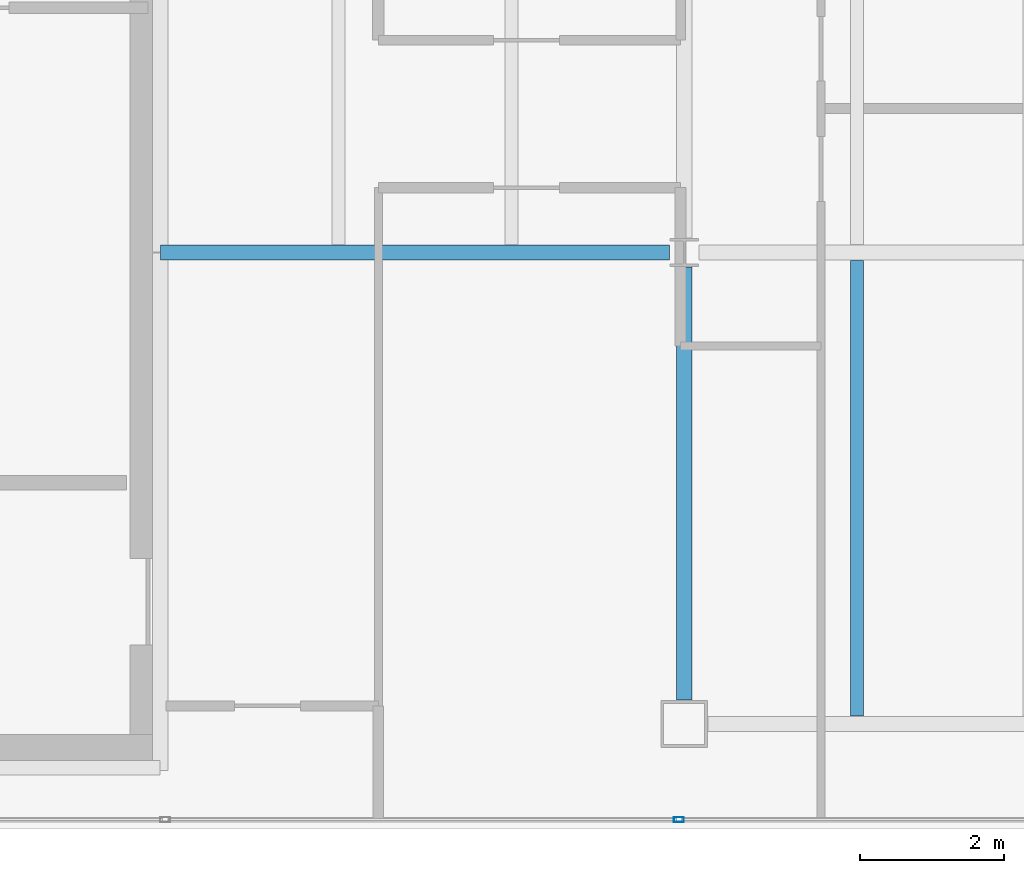
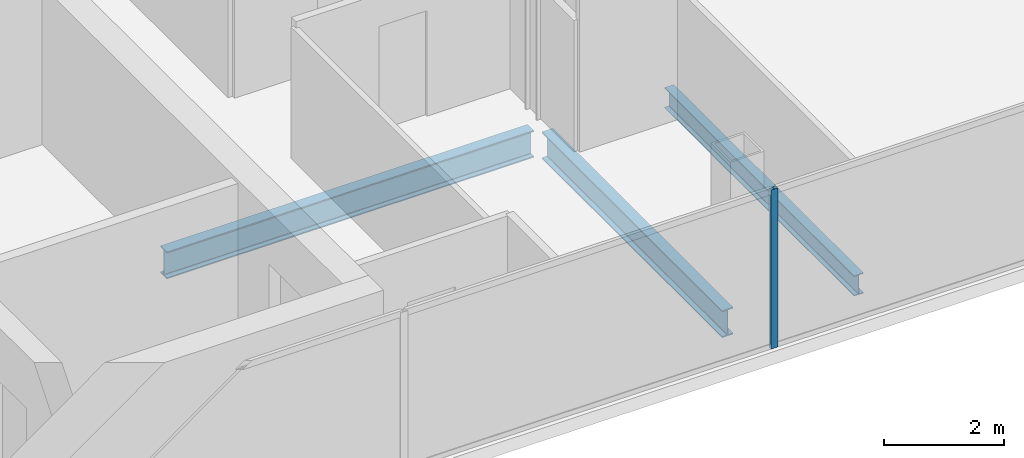
# One storey, part 5 of 23: 3 beams, 1 member, 1 element without a shape of its own.
"""IFC4 building model written with IfcOpenShell, lengths in metres."""

from ifc_helpers import new_model, si_unit, direction, frame, origin, origin_2d, place, context, subcontext, project, spatial, hollow_rectangle, i_section, extrude, material, material_profile, profile_set, type_object, element, aggregate, save


model = new_model("IFC4")

# Units and contexts
model_context = context("Model", 3, precision=1e-05, world=origin(), true_north=direction((0.0, 1.0)))
body_context = subcontext(model_context, "Body", "Model", "MODEL_VIEW")
ifc_project = project(units=[si_unit("LENGTHUNIT", "METRE"), si_unit("AREAUNIT", "SQUARE_METRE"), si_unit("VOLUMEUNIT", "CUBIC_METRE"), si_unit("PLANEANGLEUNIT", "RADIAN"), si_unit("MASSUNIT", "GRAM", prefix="KILO")], contexts=[model_context])

# Site, building, storey
site_placement = place(None, origin())
site = spatial("IfcSite", under=ifc_project, at=site_placement, CompositionType="ELEMENT")
building_placement = place(site_placement, origin())
building = spatial("IfcBuilding", under=site, at=building_placement, Name="Cobrela Telecom Tower", CompositionType="ELEMENT")
storey_placement = place(building_placement, frame((0.0, 0.0, 258.64990234375)))
storey = spatial("IfcBuildingStorey", under=building, at=storey_placement, Name="L67", CompositionType="ELEMENT", Elevation=258.64990234375)

# Beams
ifc_material_1 = material(Name="Steel ASTM A992 Grade 50", Category="steel")
ifc_material_profile_1 = material_profile(ifc_material_1, i_section(OverallWidth=0.212890625, OverallDepth=0.549072265625, WebThickness=0.0146484375, FlangeThickness=0.023681640625, FilletRadius=0.013916015625, at=origin_2d()), Name="W21X93")
ifc_profile_set_1 = profile_set([ifc_material_profile_1], Name="Steel ASTM A992 Grade 50")
beam_type_1 = type_object("IfcBeamType", Name="BM-GIRD-08", PredefinedType="USERDEFINED", material=ifc_profile_set_1)
beam_1_placement = place(storey_placement, frame((14.324951171875, 14.39990234375, -0.534423828125), z_axis=(1.0, 0.0, 0.0), x_axis=(0.0, 1.0, 0.0)))
element("IfcBeam", 1, at=beam_1_placement, inside=storey, type_object=beam_type_1, Name="L67 Primary Girder X05", ObjectType="GIRDER", PredefinedType="USERDEFINED", context=body_context, shape_type="SweptSolid", body=[
    extrude(i_section(OverallWidth=0.212890625, OverallDepth=0.549072265625, WebThickness=0.0146484375, FlangeThickness=0.023681640625, FilletRadius=0.013916015625, at=origin_2d()), origin(), (0.0, 0.0, 1.0), 7.070556640625),
])
beam_2_placement = place(storey_placement, frame((21.60009765625, 8.179931640625, -0.534423828125), z_axis=(0.0, 1.0, 0.0), x_axis=(-1.0, 0.0, 0.0)))
element("IfcBeam", 2, at=beam_2_placement, inside=storey, type_object=beam_type_1, Name="L67 Primary Girder Y27", ObjectType="GIRDER", PredefinedType="USERDEFINED", context=body_context, shape_type="SweptSolid", body=[
    extrude(i_section(OverallWidth=0.212890625, OverallDepth=0.549072265625, WebThickness=0.0146484375, FlangeThickness=0.023681640625, FilletRadius=0.013916015625, at=origin_2d()), origin(), (0.0, 0.0, 1.0), 6.015625),
])
ifc_material_profile_2 = material_profile(ifc_material_1, i_section(OverallWidth=0.179931640625, OverallDepth=0.4169921875, WebThickness=0.010986328125, FlangeThickness=0.01806640625, FilletRadius=0.011962890625, at=origin_2d()), Name="W16X57")
ifc_profile_set_2 = profile_set([ifc_material_profile_2], Name="Steel ASTM A992 Grade 50")
beam_type_2 = type_object("IfcBeamType", Name="BM-JOIST-04", PredefinedType="JOIST", material=ifc_profile_set_2)
beam_3_placement = place(storey_placement, frame((24.0, 7.96142578125, -0.468505859375), z_axis=(0.0, 1.0, 0.0), x_axis=(-1.0, 0.0, 0.0)))
element("IfcBeam", 3, at=beam_3_placement, inside=storey, type_object=beam_type_2, Name="L67 Secondary Composite Floor Beam J07", PredefinedType="JOIST", context=body_context, shape_type="SweptSolid", body=[
    extrude(i_section(OverallWidth=0.179931640625, OverallDepth=0.4169921875, WebThickness=0.010986328125, FlangeThickness=0.01806640625, FilletRadius=0.011962890625, at=origin_2d()), origin(), (0.0, 0.0, 1.0), 6.3271484375),
])

# Curtain wall, member
ifc_material_2 = material(Name="Anodized Bronze Aluminium 6063-T6", Category="aluminium")
curtain_wall_type = type_object("IfcCurtainWallType", Name="CW-SYS-OFF-HI", PredefinedType="USERDEFINED", material=ifc_material_2)
curtain_wall_placement = place(storey_placement, origin())
curtain_wall = element("IfcCurtainWall", 4, at=curtain_wall_placement, inside=storey, type_object=curtain_wall_type, Name="L67 Unitised Bronze Curtain Wall 15", ObjectType="UNITISED CURTAIN WALL", PredefinedType="USERDEFINED")
ifc_material_profile_3 = material_profile(ifc_material_2, hollow_rectangle(XDim=0.070068359375, YDim=0.139892578125, WallThickness=0.00390625, at=origin_2d()), Name="ALU 70x140x4")
ifc_profile_set_3 = profile_set([ifc_material_profile_3], Name="Anodized Bronze Aluminium 6063-T6")
member_type = type_object("IfcMemberType", Name="CW-SYS-OFF-HI-MUL", PredefinedType="MULLION", material=ifc_profile_set_3)
member_placement = place(storey_placement, frame((21.52490234375, 6.52001953125, 0.0), z_axis=(0.0, 0.0, 1.0), x_axis=(0.0, -1.0, 0.0)))
member = element("IfcMember", 5, at=member_placement, type_object=member_type, Name="CW-OFF-HI mullion 4", PredefinedType="MULLION", context=body_context, shape_type="SweptSolid", body=[
    extrude(hollow_rectangle(XDim=0.070068359375, YDim=0.139892578125, WallThickness=0.00390625, at=origin_2d()), origin(), (0.0, 0.0, 1.0), 3.239990234375),
])
aggregate(curtain_wall, [member])

save(model, "model.ifc")
